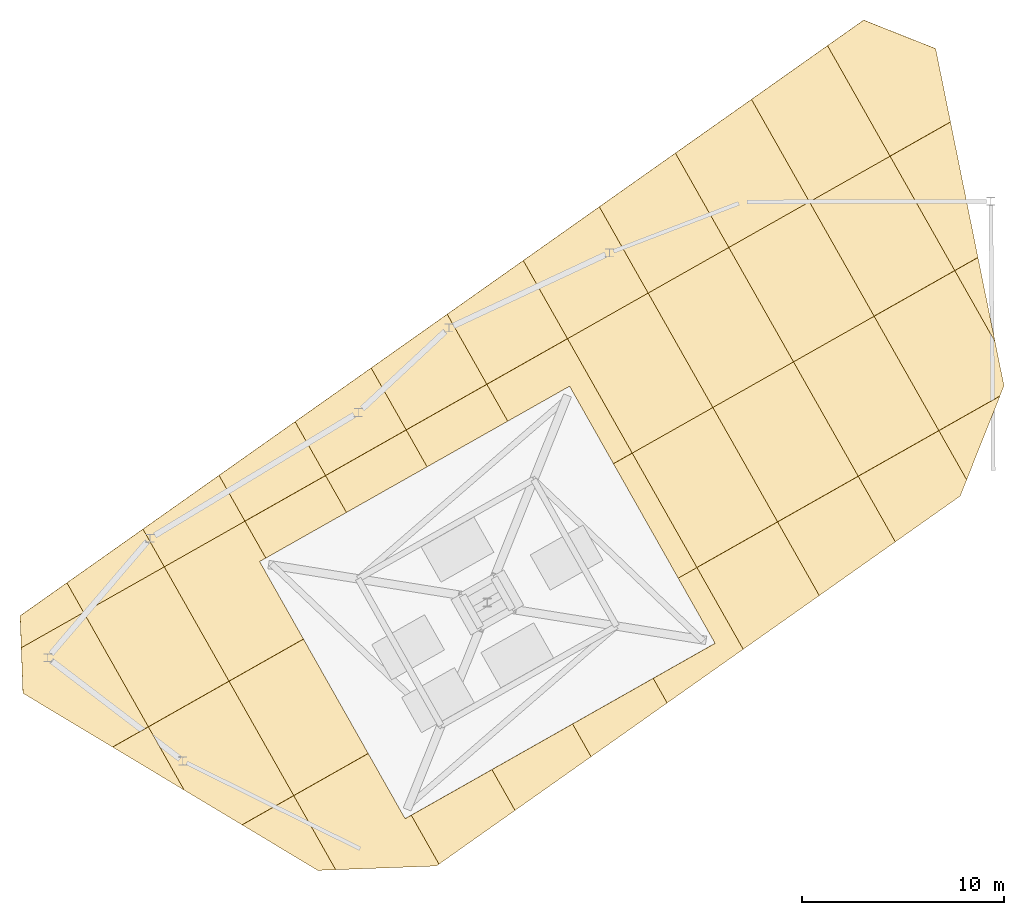
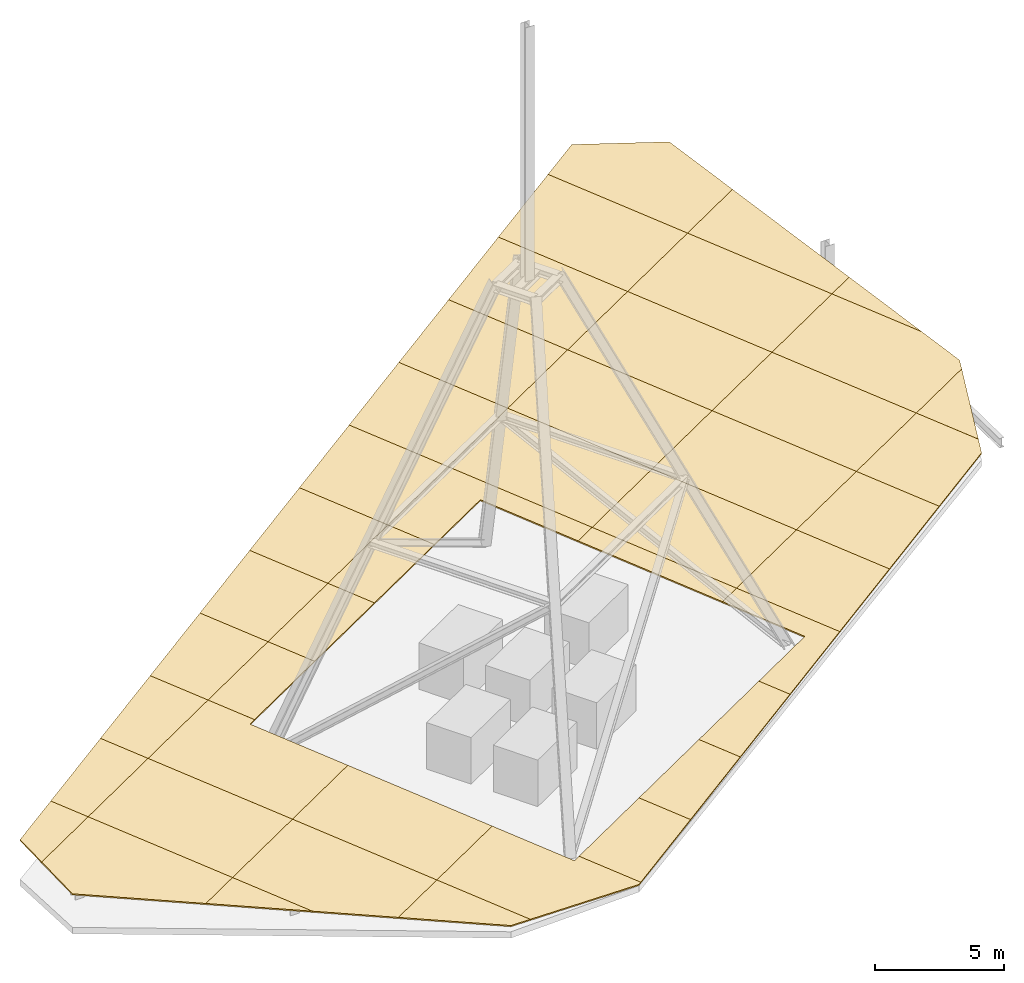
# One storey, part 4 of 5: 43 coverings.
"""IFC4 building model written with IfcOpenShell, lengths in metres."""

from ifc_helpers import new_model, si_unit, direction, frame, origin, place, context, subcontext, project, spatial, polyline, outline, extrude, material, layer, layer_set, type_object, element, save


model = new_model("IFC4")

# Units and contexts
model_context = context("Model", 3, precision=1e-05, world=origin(), true_north=direction((0.0, 1.0)))
body_context = subcontext(model_context, "Body", "Model", "MODEL_VIEW")
ifc_project = project(units=[si_unit("LENGTHUNIT", "METRE"), si_unit("AREAUNIT", "SQUARE_METRE"), si_unit("VOLUMEUNIT", "CUBIC_METRE"), si_unit("PLANEANGLEUNIT", "RADIAN"), si_unit("MASSUNIT", "GRAM", prefix="KILO")], contexts=[model_context])

# Site, building, storey
site_placement = place(None, origin())
site = spatial("IfcSite", under=ifc_project, at=site_placement, CompositionType="ELEMENT")
building_placement = place(site_placement, origin())
building = spatial("IfcBuilding", under=site, at=building_placement, Name="Binnacle Exchange Tower", CompositionType="ELEMENT")
storey_placement = place(building_placement, frame((0.0, 0.0, 372.10009765625)))
storey = spatial("IfcBuildingStorey", under=building, at=storey_placement, Name="RF", CompositionType="ELEMENT", Elevation=372.10009765625)

# Coverings
ifc_material = material(Name="Glass", Category="glass")
ifc_layer = layer(ifc_material, 0.06005859375)
ifc_layer_set = layer_set([ifc_layer], Name="CROWN GLASS ROOF PANEL 60")
covering_type = type_object("IfcCoveringType", Name="CROWN GLASS ROOF PANEL 60", PredefinedType="ROOFING", material=ifc_layer_set)
covering_1_placement = place(storey_placement, frame((-52.514404296875, 33.61767578125, 1.19677734375), z_axis=(0.042912382038, -0.075839785427, 0.996196192732), x_axis=(0.490535796886, -0.867053335392, -0.087138657087)))
element("IfcCovering", 1, at=covering_1_placement, inside=storey, type_object=covering_type, Name="Crown glass roof panel 001", PredefinedType="ROOFING", context=body_context, shape_type="SweptSolid", body=[
    extrude(outline(polyline([(0.0, 0.0), (3.6058506623878723, -1.4787840006344477e-16), (0.00012116476446488722, -2.0326010649601733), (0.0, 0.0)])), origin(), (0.0, 0.0, -1.0), 0.06005859375),
])
covering_2_placement = place(storey_placement, frame((-55.71337890625, 39.271484375, 1.76513671875), z_axis=(0.042923347102, -0.075857766186, 0.99619435131), x_axis=(0.490573222275, -0.867030045139, -0.087159706361)))
element("IfcCovering", 2, at=covering_2_placement, inside=storey, type_object=covering_type, Name="Crown glass roof panel 002", PredefinedType="ROOFING", context=body_context, shape_type="SweptSolid", body=[
    extrude(outline(polyline([(0.0, 0.0), (6.520891238576021, 2.5283594662361963e-16), (6.520922883219688, -2.0326010683247184), (2.0028889983532285, -4.578945422136086), (6.530021220396698e-05, -3.5451357852377514), (0.0, 0.0)])), origin(), (0.0, 0.0, -1.0), 0.06005859375),
])
covering_3_placement = place(storey_placement, frame((-56.542236328125, 40.736572265625, 1.912353515625), z_axis=(0.042929379631, -0.07584412404, 0.996195130089), x_axis=(0.49052779467, -0.867056641872, -0.087150802881)))
element("IfcCovering", 3, at=covering_3_placement, inside=storey, type_object=covering_type, Name="Crown glass roof panel 003", PredefinedType="ROOFING", context=body_context, shape_type="SweptSolid", body=[
    extrude(outline(polyline([(0.0, 0.0), (1.6897218517852592, 8.582815447938374e-17), (1.6899737504647403, -3.5451357766173177), (0.2840402724627751, -2.819812318527278), (0.0, 0.0)])), origin(), (0.0, 0.0, -1.0), 0.06005859375),
])
covering_4_placement = place(storey_placement, frame((-47.8857421875, 28.772705078125, 0.62841796875), z_axis=(0.042909121614, -0.075823577921, 0.996197566908), x_axis=(0.870333310349, 0.492463124379, -4.94056e-06)))
element("IfcCovering", 4, at=covering_4_placement, inside=storey, type_object=covering_type, Name="Crown glass roof panel 010", PredefinedType="ROOFING", context=body_context, shape_type="SweptSolid", body=[
    extrude(outline(polyline([(0.0, 0.0), (2.9358581661820216, 0.0), (2.935691200218788, -4.222830335846694), (2.149326690940984, -3.8139123279312717), (0.0, 0.0)])), origin(), (0.0, 0.0, -1.0), 0.06005859375),
])
covering_5_placement = place(storey_placement, frame((-52.514404296875, 33.61767578125, 1.19677734375), z_axis=(0.042927284914, -0.075853412411, 0.996194513153), x_axis=(0.870357740042, 0.492419947038, -1.0400943e-05)))
element("IfcCovering", 5, at=covering_5_placement, inside=storey, type_object=covering_type, Name="Crown glass roof panel 011", PredefinedType="ROOFING", context=body_context, shape_type="SweptSolid", body=[
    extrude(outline(polyline([(0.0, 0.0), (4.5786981449220026, 2.220446049250313e-16), (4.578695749884221, -6.5207714731530455), (1.6428375873749481, -6.52091796279583), (-4.263406922981605e-05, -3.605850661466199), (0.0, 0.0)])), origin(), (0.0, 0.0, -1.0), 0.06005859375),
])
covering_6_placement = place(storey_placement, frame((-55.71337890625, 39.271484375, 1.76513671875), z_axis=(0.042919139901, -0.075860218798, 0.996194345815), x_axis=(0.870358188184, 0.49241915505, 0.0)))
element("IfcCovering", 6, at=covering_6_placement, inside=storey, type_object=covering_type, Name="Crown glass roof panel 012", PredefinedType="ROOFING", context=body_context, shape_type="SweptSolid", body=[
    extrude(outline(polyline([(0.0, 0.0), (4.578698145171559, 0.0), (4.578908239685662, -6.5208912351915505), (0.0002100945141019217, -6.52089123519155), (0.0, 0.0)])), origin(), (0.0, 0.0, -1.0), 0.06005859375),
])
covering_7_placement = place(storey_placement, frame((-51.728271484375, 41.526123046875, 1.76513671875), z_axis=(0.042906649235, -0.07585891615, 0.996194983069), x_axis=(-0.870358627161, -0.492418379046, -1.0190979e-05)))
element("IfcCovering", 7, at=covering_7_placement, inside=storey, type_object=covering_type, Name="Crown glass roof panel 013", PredefinedType="ROOFING", context=body_context, shape_type="SweptSolid", body=[
    extrude(outline(polyline([(0.0, 0.0), (4.578698144931977, 0.0), (4.578663648201748, -1.6897218513564423), (-0.00018852447404609827, -2.1508662331652433), (0.0, 0.0)])), origin(), (0.0, 0.0, -1.0), 0.06005859375),
])
covering_8_placement = place(storey_placement, frame((-45.33056640625, 30.218505859375, 0.62841796875), z_axis=(0.042912825098, -0.075850296632, 0.99619537338), x_axis=(0.870377674591, 0.492384710938, -2.849378e-06)))
element("IfcCovering", 8, at=covering_8_placement, inside=storey, type_object=covering_type, Name="Crown glass roof panel 020", PredefinedType="ROOFING", context=body_context, shape_type="SweptSolid", body=[
    extrude(outline(polyline([(0.0, 0.0), (4.227970488104981, -2.220446049250313e-16), (4.228390317366624, -3.715280220411815), (4.578997759718157, -3.715310260656228), (4.578886430403144, -6.50477562251845), (4.4197620506315465, -6.52085240349003), (0.00021126781741310742, -4.222830332891118), (0.0, 0.0)])), origin(), (0.0, 0.0, -1.0), 0.06005859375),
])
covering_9_placement = place(storey_placement, frame((-48.529296875, 35.872314453125, 1.19677734375), z_axis=(0.042918116816, -0.075861011406, 0.996194329535), x_axis=(0.870353144065, 0.492428070495, 2.181868e-06)))
element("IfcCovering", 9, at=covering_9_placement, inside=storey, type_object=covering_type, Name="Crown glass roof panel 021", PredefinedType="ROOFING", context=body_context, shape_type="SweptSolid", body=[
    extrude(outline(polyline([(0.0, 0.0), (4.228090704509993, 0.0), (4.227900306454975, -6.520983152686121), (-7.017635812077285e-05, -6.520771472809859), (0.0, 0.0)])), origin(), (0.0, 0.0, -1.0), 0.06005859375),
])
covering_10_placement = place(storey_placement, frame((-51.728271484375, 41.526123046875, 1.76513671875), z_axis=(0.042914068832, -0.075862721691, 0.996194373681), x_axis=(0.870358430496, 0.492418726728, 5.624632e-06)))
element("IfcCovering", 10, at=covering_10_placement, inside=storey, type_object=covering_type, Name="Crown glass roof panel 022", PredefinedType="ROOFING", context=body_context, shape_type="SweptSolid", body=[
    extrude(outline(polyline([(0.0, 0.0), (4.578698145098578, -2.220446049250313e-16), (4.578964476804426, -2.1012789706125297), (4.228236816491006, -2.1014467022674896), (4.228300798703183, -6.520847285710881), (0.00021009450232109645, -6.520891235191216), (0.0, 0.0)])), origin(), (0.0, 0.0, -1.0), 0.06005859375),
])
covering_11_placement = place(storey_placement, frame((-47.7431640625, 43.78076171875, 1.76513671875), z_axis=(0.042927490428, -0.075889631338, 0.99619174581), x_axis=(-0.870358497944, -0.492418607493, -7.18787e-06)))
element("IfcCovering", 11, at=covering_11_placement, inside=storey, type_object=covering_type, Name="Crown glass roof panel 023", PredefinedType="ROOFING", context=body_context, shape_type="SweptSolid", body=[
    extrude(outline(polyline([(0.0, 0.0), (4.578698145052372, -2.220446049250313e-16), (4.5785096212958685, -2.150866233421602), (-0.0001300612266895812, -2.612130380085235), (0.0, 0.0)])), origin(), (0.0, 0.0, -1.0), 0.06005859375),
])
covering_12_placement = place(storey_placement, frame((-39.522705078125, 29.251708984375, 0.3046875), z_axis=(0.042908444044, -0.075861745026, 0.996194690345), x_axis=(0.87035861992, 0.492418391847, 1.0022486e-05)))
element("IfcCovering", 12, at=covering_12_placement, inside=storey, type_object=covering_type, Name="Crown glass roof panel 030", PredefinedType="ROOFING", context=body_context, shape_type="SweptSolid", body=[
    extrude(outline(polyline([(0.0, 0.0), (4.578698144939834, 0.0), (4.578630179391873, -2.3283209735762784), (-0.0002219932603513237, -2.789465355697126), (0.0, 0.0)])), origin(), (0.0, 0.0, -1.0), 0.06005859375),
])
covering_13_placement = place(storey_placement, frame((-47.7431640625, 43.78076171875, 1.76513671875), z_axis=(0.04290571578, -0.075842920737, 0.996196241173), x_axis=(0.870371154048, 0.492396236988, 8.74741e-07)))
element("IfcCovering", 13, at=covering_13_placement, inside=storey, type_object=covering_type, Name="Crown glass roof panel 032", PredefinedType="ROOFING", context=body_context, shape_type="SweptSolid", body=[
    extrude(outline(polyline([(0.0, 0.0), (4.578910636540015, -2.220446049250313e-16), (4.578899220449715, -2.1013708913240894), (0.00032129079227721856, -2.101278963324148), (0.0, 0.0)])), origin(), (0.0, 0.0, -1.0), 0.06005859375),
])
covering_14_placement = place(storey_placement, frame((-43.7578125, 46.035400390625, 1.76513671875), z_axis=(0.042938175227, -0.075861228464, 0.996193448645), x_axis=(-0.870370328217, -0.492397696405, 1.8289142e-05)))
element("IfcCovering", 14, at=covering_14_placement, inside=storey, type_object=covering_type, Name="Crown glass roof panel 033", PredefinedType="ROOFING", context=body_context, shape_type="SweptSolid", body=[
    extrude(outline(polyline([(0.0, 0.0), (4.578910635770111, -2.220446049250313e-16), (4.578848896682838, -2.612130381449798), (8.78507392023191e-06, -3.0733732433044856), (0.0, 0.0)])), origin(), (0.0, 0.0, -1.0), 0.06005859375),
])
covering_15_placement = place(storey_placement, frame((-35.53759765625, 31.50634765625, 0.3046875), z_axis=(0.042941399524, -0.075862042179, 0.9961932477), x_axis=(0.870357394949, 0.49242055676, -1.8405644e-05)))
element("IfcCovering", 15, at=covering_15_placement, inside=storey, type_object=covering_type, Name="Crown glass roof panel 040", PredefinedType="ROOFING", context=body_context, shape_type="SweptSolid", body=[
    extrude(outline(polyline([(0.0, 0.0), (4.578698144390063, 2.220446049250313e-16), (4.578571716935068, -1.8670781093423037), (-6.79675744127764e-05, -2.3283209724950833), (0.0, 0.0)])), origin(), (0.0, 0.0, -1.0), 0.06005859375),
])
covering_16_placement = place(storey_placement, frame((-43.7578125, 46.035400390625, 1.76513671875), z_axis=(0.042911052272, -0.075837711806, 0.996196407874), x_axis=(0.87033533549, 0.49245954534, 0.0)))
element("IfcCovering", 16, at=covering_16_placement, inside=storey, type_object=covering_type, Name="Crown glass roof panel 042", PredefinedType="ROOFING", context=body_context, shape_type="SweptSolid", body=[
    extrude(outline(polyline([(0.0, 0.0), (4.578818369622354, 0.0), (4.578654844125769, -2.1013708849962924), (-0.00016352549658571342, -2.1013708849962924), (0.0, 0.0)])), origin(), (0.0, 0.0, -1.0), 0.06005859375),
])
covering_17_placement = place(storey_placement, frame((-39.772705078125, 48.290283203125, 1.76513671875), z_axis=(0.042912522917, -0.075866041145, 0.996194187484), x_axis=(-0.870335879309, -0.492458584074, -1.2622875e-05)))
element("IfcCovering", 17, at=covering_17_placement, inside=storey, type_object=covering_type, Name="Crown glass roof panel 043", PredefinedType="ROOFING", context=body_context, shape_type="SweptSolid", body=[
    extrude(outline(polyline([(0.0, 0.0), (4.578818369254774, -2.220446049250313e-16), (4.578604688169631, -3.073373236490836), (6.391505757201581e-05, -3.5342140322573092), (0.0, 0.0)])), origin(), (0.0, 0.0, -1.0), 0.06005859375),
])
covering_18_placement = place(storey_placement, frame((-31.552490234375, 33.760986328125, 0.3046875), z_axis=(0.042931114064, -0.075897476219, 0.996190992003), x_axis=(0.870358528418, 0.492418553619, 7.894272e-06)))
element("IfcCovering", 18, at=covering_18_placement, inside=storey, type_object=covering_type, Name="Crown glass roof panel 050", PredefinedType="ROOFING", context=body_context, shape_type="SweptSolid", body=[
    extrude(outline(polyline([(0.0, 0.0), (4.578698145027795, 2.220446049250313e-16), (4.578725743082837, -1.4059337252916662), (-0.0001264293054989482, -1.86707811090611), (0.0, 0.0)])), origin(), (0.0, 0.0, -1.0), 0.06005859375),
])
covering_19_placement = place(storey_placement, frame((-39.772705078125, 48.290283203125, 1.76513671875), z_axis=(0.042907532708, -0.075839702911, 0.996196407893), x_axis=(0.870358188184, 0.49241915505, 0.0)))
element("IfcCovering", 19, at=covering_19_placement, inside=storey, type_object=covering_type, Name="Crown glass roof panel 052", PredefinedType="ROOFING", context=body_context, shape_type="SweptSolid", body=[
    extrude(outline(polyline([(0.0, 0.0), (4.578698145171559, 2.220446049250313e-16), (4.578631767333564, -2.1013708903105783), (-6.637783799534613e-05, -2.1013708903105783), (0.0, 0.0)])), origin(), (0.0, 0.0, -1.0), 0.06005859375),
])
covering_20_placement = place(storey_placement, frame((-35.78759765625, 50.544921875, 1.76513671875), z_axis=(0.042932411975, -0.075846241052, 0.996194838232), x_axis=(-0.8703573969, -0.492420553311, 1.8364223e-05)))
element("IfcCovering", 20, at=covering_20_placement, inside=storey, type_object=covering_type, Name="Crown glass roof panel 053", PredefinedType="ROOFING", context=body_context, shape_type="SweptSolid", body=[
    extrude(outline(polyline([(0.0, 0.0), (4.578698144393579, 2.220446049250313e-16), (4.578925450014932, -3.534214024993909), (-4.694379637043275e-05, -3.9955488103257104), (0.0, 0.0)])), origin(), (0.0, 0.0, -1.0), 0.06005859375),
])
covering_21_placement = place(storey_placement, frame((-27.5673828125, 36.015625, 0.3046875), z_axis=(0.042890292641, -0.075846225667, 0.996196653703), x_axis=(0.870348760123, 0.492435818513, 1.9961116e-05)))
element("IfcCovering", 21, at=covering_21_placement, inside=storey, type_object=covering_type, Name="Crown glass roof panel 060", PredefinedType="ROOFING", context=body_context, shape_type="SweptSolid", body=[
    extrude(outline(polyline([(0.0, 0.0), (3.513097676210654, 2.220446049250313e-16), (3.5132352737209, 3.715372151740135), (4.578835740930441, 3.7152768589530227), (4.578860105692176, -0.9448846411171445), (-1.6638107087275758e-06, -1.4059337249524353), (0.0, 0.0)])), origin(), (0.0, 0.0, -1.0), 0.06005859375),
])
covering_22_placement = place(storey_placement, frame((-28.603515625, 47.145751953125, 1.19677734375), z_axis=(0.042916897138, -0.075860781891, 0.996194399558), x_axis=(0.490528838965, -0.867055211538, -0.087159154933)))
element("IfcCovering", 22, at=covering_22_placement, inside=storey, type_object=covering_type, Name="Crown glass roof panel 061", PredefinedType="ROOFING", context=body_context, shape_type="SweptSolid", body=[
    extrude(outline(polyline([(0.0, 0.0), (6.520983155471054, -6.334180142203438e-16), (6.520930076947804, -1.0656004702203568), (3.8846860677788086e-05, -1.0659331777863157), (0.0, 0.0)])), origin(), (0.0, 0.0, -1.0), 0.06005859375),
])
covering_23_placement = place(storey_placement, frame((-35.78759765625, 50.544921875, 1.76513671875), z_axis=(0.042922723104, -0.075845068975, 0.996195344977), x_axis=(0.870357734165, 0.492419957422, -1.0538485e-05)))
element("IfcCovering", 23, at=covering_23_placement, inside=storey, type_object=covering_type, Name="Crown glass roof panel 062", PredefinedType="ROOFING", context=body_context, shape_type="SweptSolid", body=[
    extrude(outline(polyline([(0.0, 0.0), (4.578698144915359, 2.220446049250313e-16), (4.5789082402203345, -6.5208912347629795), (3.5129750619279365, -6.520910038778507), (3.513031297911196, -2.101297774954589), (-6.637810912545433e-05, -2.101370890154275), (0.0, 0.0)])), origin(), (0.0, 0.0, -1.0), 0.06005859375),
])
covering_24_placement = place(storey_placement, frame((-31.802490234375, 52.799560546875, 1.76513671875), z_axis=(0.042903071275, -0.075851144472, 0.99619572894), x_axis=(-0.870358596536, -0.49241843319, -9.480883e-06)))
element("IfcCovering", 24, at=covering_24_placement, inside=storey, type_object=covering_type, Name="Crown glass roof panel 063", PredefinedType="ROOFING", context=body_context, shape_type="SweptSolid", body=[
    extrude(outline(polyline([(0.0, 0.0), (4.578698144964202, 0.0), (4.578651203138513, -3.995548810979639), (1.1520351440440676e-05, -4.456812954142417), (0.0, 0.0)])), origin(), (0.0, 0.0, -1.0), 0.06005859375),
])
covering_25_placement = place(storey_placement, frame((-25.40478515625, 41.49169921875, 0.62841796875), z_axis=(0.042924247036, -0.075831239257, 0.99619633214), x_axis=(0.870334705828, 0.492460657939, -1.4615533e-05)))
element("IfcCovering", 25, at=covering_25_placement, inside=storey, type_object=covering_type, Name="Crown glass roof panel 070", PredefinedType="ROOFING", context=body_context, shape_type="SweptSolid", body=[
    extrude(outline(polyline([(0.0, 0.0), (4.578818369129564, 0.0), (4.57856691158801, -4.199130303899763), (-9.409128087353826e-05, -4.660161498967763), (0.0, 0.0)])), origin(), (0.0, 0.0, -1.0), 0.06005859375),
])
covering_26_placement = place(storey_placement, frame((-28.603515625, 47.145751953125, 1.19677734375), z_axis=(0.042920991793, -0.075859384877, 0.996194329531), x_axis=(0.870358101381, 0.492419308473, -2.014751e-06)))
element("IfcCovering", 26, at=covering_26_placement, inside=storey, type_object=covering_type, Name="Crown glass roof panel 071", PredefinedType="ROOFING", context=body_context, shape_type="SweptSolid", body=[
    extrude(outline(polyline([(0.0, 0.0), (4.578698145162194, 2.220446049250313e-16), (4.578695749902988, -6.520771473187038), (-0.00012261481693912843, -6.520983154312949), (0.0, 0.0)])), origin(), (0.0, 0.0, -1.0), 0.06005859375),
])
covering_27_placement = place(storey_placement, frame((-31.802490234375, 52.799560546875, 1.76513671875), z_axis=(0.042919139901, -0.075860218798, 0.996194345815), x_axis=(0.870358188184, 0.49241915505, 0.0)))
element("IfcCovering", 27, at=covering_27_placement, inside=storey, type_object=covering_type, Name="Crown glass roof panel 072", PredefinedType="ROOFING", context=body_context, shape_type="SweptSolid", body=[
    extrude(outline(polyline([(0.0, 0.0), (4.578698145171559, 0.0), (4.578908239685662, -6.5208912351915505), (0.0002100945141019217, -6.52089123519155), (0.0, 0.0)])), origin(), (0.0, 0.0, -1.0), 0.06005859375),
])
covering_28_placement = place(storey_placement, frame((-27.8173828125, 55.05419921875, 1.76513671875), z_axis=(0.042912608334, -0.075868308544, 0.996194011127), x_axis=(-0.870358603119, -0.492418421552, -9.631551e-06)))
element("IfcCovering", 28, at=covering_28_placement, inside=storey, type_object=covering_type, Name="Crown glass roof panel 073", PredefinedType="ROOFING", context=body_context, shape_type="SweptSolid", body=[
    extrude(outline(polyline([(0.0, 0.0), (4.578698144957557, -2.220446049250313e-16), (4.578709666151717, -4.456812954135589), (-0.0001425064473343268, -4.917957336960404), (0.0, 0.0)])), origin(), (0.0, 0.0, -1.0), 0.06005859375),
])
covering_29_placement = place(storey_placement, frame((-21.419677734375, 43.74658203125, 0.62841796875), z_axis=(0.042900633565, -0.075849434591, 0.996195964112), x_axis=(0.870358651424, 0.492418336148, 1.0755719e-05)))
element("IfcCovering", 29, at=covering_29_placement, inside=storey, type_object=covering_type, Name="Crown glass roof panel 080", PredefinedType="ROOFING", context=body_context, shape_type="SweptSolid", body=[
    extrude(outline(polyline([(0.0, 0.0), (4.578698144904688, -2.220446049250313e-16), (4.578794841767251, -3.7379859305588172), (-5.733099040969466e-05, -4.1991303112837945), (0.0, 0.0)])), origin(), (0.0, 0.0, -1.0), 0.06005859375),
])
covering_30_placement = place(storey_placement, frame((-24.618408203125, 49.400390625, 1.19677734375), z_axis=(0.042919928164, -0.075861612065, 0.996194205756), x_axis=(0.870358188184, 0.49241915505, 0.0)))
element("IfcCovering", 30, at=covering_30_placement, inside=storey, type_object=covering_type, Name="Crown glass roof panel 081", PredefinedType="ROOFING", context=body_context, shape_type="SweptSolid", body=[
    extrude(outline(polyline([(0.0, 0.0), (4.578698145171559, 0.0), (4.578695749893624, -6.520771473193613), (-2.3952779351077425e-06, -6.520771473193614), (0.0, 0.0)])), origin(), (0.0, 0.0, -1.0), 0.06005859375),
])
covering_31_placement = place(storey_placement, frame((-27.8173828125, 55.05419921875, 1.76513671875), z_axis=(0.042919601741, -0.075859251694, 0.996194399562), x_axis=(0.87034830315, 0.492436626586, 8.74781e-07)))
element("IfcCovering", 31, at=covering_31_placement, inside=storey, type_object=covering_type, Name="Crown glass roof panel 082", PredefinedType="ROOFING", context=body_context, shape_type="SweptSolid", body=[
    extrude(outline(polyline([(0.0, 0.0), (4.579030855411758, 0.0), (4.578777338874715, -6.520983150543068), (7.9194627443704e-05, -6.520891238093895), (0.0, 0.0)])), origin(), (0.0, 0.0, -1.0), 0.06005859375),
])
covering_32_placement = place(storey_placement, frame((-23.83203125, 57.30908203125, 1.76513671875), z_axis=(0.042933472997, -0.075850047012, 0.996194502728), x_axis=(-0.870347590335, -0.492437886187, 1.5667572e-05)))
element("IfcCovering", 32, at=covering_32_placement, inside=storey, type_object=covering_type, Name="Crown glass roof panel 083", PredefinedType="ROOFING", context=body_context, shape_type="SweptSolid", body=[
    extrude(outline(polyline([(0.0, 0.0), (4.579030854847208, -2.220446049250313e-16), (4.578789627363568, -4.917957332780898), (-7.180218202488212e-05, -5.3789885206530625), (0.0, 0.0)])), origin(), (0.0, 0.0, -1.0), 0.06005859375),
])
covering_33_placement = place(storey_placement, frame((-15.600830078125, 42.76025390625, 0.302734375), z_axis=(0.042904598673, -0.075846592731, 0.996196009721), x_axis=(-0.490568512205, 0.86703461562, 0.087140749075)))
element("IfcCovering", 33, at=covering_33_placement, inside=storey, type_object=covering_type, Name="Crown glass roof panel 090", PredefinedType="ROOFING", context=body_context, shape_type="SweptSolid", body=[
    extrude(outline(polyline([(0.0, 0.0), (3.7379859318348623, 5.2051868674671264e-17), (3.737747719439223, -4.5789106303147795), (0.9377515583751967, -4.578842859181378), (0.393202285586104, -3.9050092430495753), (0.0, 0.0)])), origin(), (0.0, 0.0, -1.0), 0.06005859375),
])
covering_34_placement = place(storey_placement, frame((-20.63330078125, 51.655029296875, 1.19677734375), z_axis=(0.042919601741, -0.075859251694, 0.996194399562), x_axis=(0.870335471405, 0.492459305125, 3.154568e-06)))
element("IfcCovering", 34, at=covering_34_placement, inside=storey, type_object=covering_type, Name="Crown glass roof panel 091", PredefinedType="ROOFING", context=body_context, shape_type="SweptSolid", body=[
    extrude(outline(polyline([(0.0, 0.0), (4.578818369599398, 0.0), (4.578606770620713, -6.52110291351742), (-0.0003038539020932812, -6.520771466098465), (0.0, 0.0)])), origin(), (0.0, 0.0, -1.0), 0.06005859375),
])
covering_35_placement = place(storey_placement, frame((-23.83203125, 57.30908203125, 1.76513671875), z_axis=(0.042920991793, -0.075859384877, 0.996194329531), x_axis=(0.870358101381, 0.492419308473, -2.014751e-06)))
element("IfcCovering", 35, at=covering_35_placement, inside=storey, type_object=covering_type, Name="Crown glass roof panel 092", PredefinedType="ROOFING", context=body_context, shape_type="SweptSolid", body=[
    extrude(outline(polyline([(0.0, 0.0), (4.578698145162194, 2.220446049250313e-16), (4.578695749902988, -6.520771473187038), (-0.00012261481693912843, -6.520983154312949), (0.0, 0.0)])), origin(), (0.0, 0.0, -1.0), 0.06005859375),
])
covering_36_placement = place(storey_placement, frame((-19.846923828125, 59.563720703125, 1.76513671875), z_axis=(0.042906692982, -0.075860622925, 0.996194851215), x_axis=(-0.870358661596, -0.492418318165, -1.0990298e-05)))
element("IfcCovering", 36, at=covering_36_placement, inside=storey, type_object=covering_type, Name="Crown glass roof panel 093", PredefinedType="ROOFING", context=body_context, shape_type="SweptSolid", body=[
    extrude(outline(polyline([(0.0, 0.0), (4.57869814489292, 0.0), (4.578734321957709, -5.378988521255546), (0.00021485847707760998, -5.840040984035887), (0.0, 0.0)])), origin(), (0.0, 0.0, -1.0), 0.06005859375),
])
covering_37_placement = place(storey_placement, frame((-13.44921875, 48.255859375, 0.62841796875), z_axis=(0.042894926713, -0.075812147169, 0.996199048185), x_axis=(0.870343505309, 0.492445106349, 0.0)))
element("IfcCovering", 37, at=covering_37_placement, inside=storey, type_object=covering_type, Name="Crown glass roof panel 100", PredefinedType="ROOFING", context=body_context, shape_type="SweptSolid", body=[
    extrude(outline(polyline([(0.0, 0.0), (3.4634650324706624, 2.220446049250313e-16), (-7.850992775049193e-05, -2.799996162486304), (0.0, 0.0)])), origin(), (0.0, 0.0, -1.0), 0.06005859375),
])
covering_38_placement = place(storey_placement, frame((-10.434814453125, 49.96142578125, 0.62841796875), z_axis=(0.042907612751, -0.075862099102, 0.996194699187), x_axis=(-0.870344087103, -0.492444077903, -1.3505784e-05)))
element("IfcCovering", 38, at=covering_38_placement, inside=storey, type_object=covering_type, Name="Crown glass roof panel 101", PredefinedType="ROOFING", context=body_context, shape_type="SweptSolid", body=[
    extrude(outline(polyline([(0.0, 0.0), (3.4634650321523655, -2.220446049250313e-16), (3.4633612068818147, -6.521102916135219), (-1.1153369359949112, -6.520966912355676), (-1.1153830242519949, -2.4610963181919576), (-0.42911463150320334, -0.34675945652742335), (0.0, 0.0)])), origin(), (0.0, 0.0, -1.0), 0.06005859375),
])
covering_39_placement = place(storey_placement, frame((-19.846923828125, 59.563720703125, 1.76513671875), z_axis=(0.042919928164, -0.075861612065, 0.996194205756), x_axis=(0.870358188184, 0.49241915505, 0.0)))
element("IfcCovering", 39, at=covering_39_placement, inside=storey, type_object=covering_type, Name="Crown glass roof panel 102", PredefinedType="ROOFING", context=body_context, shape_type="SweptSolid", body=[
    extrude(outline(polyline([(0.0, 0.0), (4.578698145171559, 0.0), (4.578695749893624, -6.520771473193613), (-2.3952779351077425e-06, -6.520771473193614), (0.0, 0.0)])), origin(), (0.0, 0.0, -1.0), 0.06005859375),
])
covering_40_placement = place(storey_placement, frame((-15.86181640625, 61.818359375, 1.76513671875), z_axis=(0.042929352047, -0.075841418381, 0.996195337266), x_axis=(-0.870357409336, -0.492420531343, 1.8076871e-05)))
element("IfcCovering", 40, at=covering_40_placement, inside=storey, type_object=covering_type, Name="Crown glass roof panel 103", PredefinedType="ROOFING", context=body_context, shape_type="SweptSolid", body=[
    extrude(outline(polyline([(0.0, 0.0), (4.578698144417736, -2.220446049250313e-16), (4.578913004959761, -5.8400409836632585), (-5.938877906922668e-05, -6.301375769954138), (0.0, 0.0)])), origin(), (0.0, 0.0, -1.0), 0.06005859375),
])
covering_41_placement = place(storey_placement, frame((-12.6630859375, 56.16455078125, 1.19677734375), z_axis=(0.042897052369, -0.075845089581, 0.996196449143), x_axis=(0.870424717995, 0.492301544079, 0.0)))
element("IfcCovering", 41, at=covering_41_placement, inside=storey, type_object=covering_type, Name="Crown glass roof panel 111", PredefinedType="ROOFING", context=body_context, shape_type="SweptSolid", body=[
    extrude(outline(polyline([(0.0, 0.0), (1.317155121284274, 0.0), (0.0007131803889159904, -4.059870532603179), (0.0, 0.0)])), origin(), (0.0, 0.0, -1.0), 0.06005859375),
])
covering_42_placement = place(storey_placement, frame((-12.6630859375, 56.16455078125, 1.19677734375), z_axis=(0.042915005744, -0.075862799819, 0.996194327371), x_axis=(-0.49054484924, 0.867046070744, 0.087159979871)))
element("IfcCovering", 42, at=covering_42_placement, inside=storey, type_object=covering_type, Name="Crown glass roof panel 112", PredefinedType="ROOFING", context=body_context, shape_type="SweptSolid", body=[
    extrude(outline(polyline([(0.0, 0.0), (6.520771473187704, 3.813681141717762e-17), (6.520685678260622, -3.4330625231620657), (-0.00017681839274286126, -1.317155109384559), (0.0, 0.0)])), origin(), (0.0, 0.0, -1.0), 0.06005859375),
])
covering_43_placement = place(storey_placement, frame((-15.86181640625, 61.818359375, 1.76513671875), z_axis=(0.042886213582, -0.075872301434, 0.996194843673), x_axis=(-0.490537221328, 0.867050980153, 0.087154072238)))
element("IfcCovering", 43, at=covering_43_placement, inside=storey, type_object=covering_type, Name="Crown glass roof panel 113", PredefinedType="ROOFING", context=body_context, shape_type="SweptSolid", body=[
    extrude(outline(polyline([(0.0, 0.0), (6.301375769662904, 3.5874894634829735e-16), (6.520975312242953, -2.1801370564210405), (3.531069067265045, -4.5786025802569), (-5.470342937674566e-05, -3.4330625220096236), (0.0, 0.0)])), origin(), (0.0, 0.0, -1.0), 0.06005859375),
])

save(model, "model.ifc")
